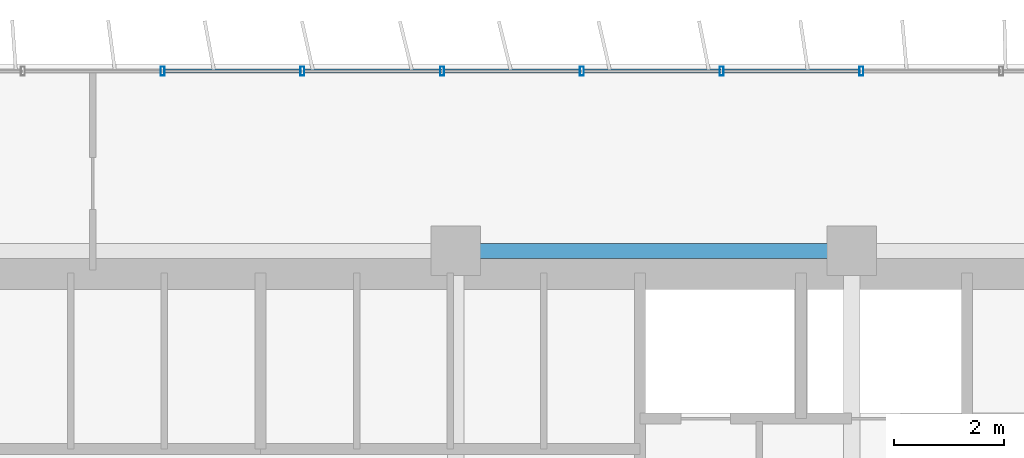
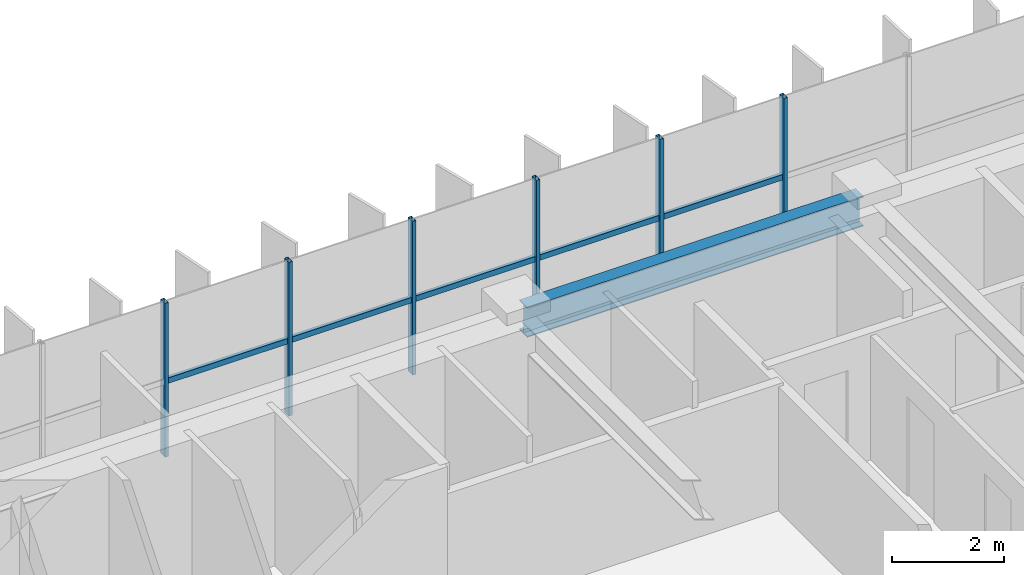
# One storey, part 10 of 24: 11 members, 1 beam, 1 element without a shape of its own.
"""IFC4 building model written with IfcOpenShell, lengths in metres."""

from ifc_helpers import new_model, si_unit, direction, frame, origin, origin_2d, place, context, subcontext, project, spatial, hollow_rectangle, i_section, extrude, source, transform, mapped, material, material_profile, profile_set, type_object, element, aggregate, save


model = new_model("IFC4")

# Units and contexts
model_context = context("Model", 3, precision=1e-05, world=origin(), true_north=direction((0.0, 1.0)))
body_context = subcontext(model_context, "Body", "Model", "MODEL_VIEW")
ifc_project = project(units=[si_unit("LENGTHUNIT", "METRE"), si_unit("AREAUNIT", "SQUARE_METRE"), si_unit("VOLUMEUNIT", "CUBIC_METRE"), si_unit("PLANEANGLEUNIT", "RADIAN"), si_unit("MASSUNIT", "GRAM", prefix="KILO")], contexts=[model_context])

# Site, building, storey
site_placement = place(None, origin())
site = spatial("IfcSite", under=ifc_project, at=site_placement, CompositionType="ELEMENT")
building_placement = place(site_placement, origin())
building = spatial("IfcBuilding", under=site, at=building_placement, Name="Trelvane Seafront Commons", CompositionType="ELEMENT")
storey_placement = place(building_placement, frame((0.0, 0.0, 30.699951171875)))
storey = spatial("IfcBuildingStorey", under=building, at=storey_placement, Name="L07", CompositionType="ELEMENT", Elevation=30.699951171875)

# Beam
ifc_material_1 = material(Name="Steel SM355 (S355)", Category="steel")
ifc_material_profile_1 = material_profile(ifc_material_1, i_section(OverallWidth=0.280029296875, OverallDepth=0.64990234375, WebThickness=0.012939453125, FlangeThickness=0.02197265625, at=origin_2d()), Name="H-650x280x13x22")
ifc_profile_set_1 = profile_set([ifc_material_profile_1], Name="Steel SM355 (S355)")
beam_type = type_object("IfcBeamType", Name="STR-BM-H650", PredefinedType="BEAM", material=ifc_profile_set_1)
shared_shape_1 = source(origin(), body_context, "Body", "SweptSolid", [
    extrude(i_section(OverallWidth=0.280029296875, OverallDepth=0.64990234375, WebThickness=0.012939453125, FlangeThickness=0.02197265625, at=origin_2d()), origin(), (0.0, 0.0, 1.0), 6.900146484375),
])
beam_placement = place(storey_placement, frame((43.949951171875, 45.10009765625, 3.01513671875), z_axis=(1.0, 0.0, 0.0), x_axis=(0.0, 1.0, 0.0)))
element("IfcBeam", 1, at=beam_placement, inside=storey, type_object=beam_type, Name="L07 Primary Girder G-33", PredefinedType="BEAM", context=body_context, shape_type="MappedRepresentation", body=[
    mapped(shared_shape_1, transform((0.0, 0.0, 0.0), x_axis=(1.0, 0.0, 0.0), y_axis=(0.0, 1.0, 0.0), z_axis=(0.0, 0.0, 1.0), scale=1.0)),
])

# Curtain wall, members
ifc_material_2 = material(Name="Anodised pale-silver aluminium", Category="aluminium")
curtain_wall_type = type_object("IfcCurtainWallType", Name="ARCH-CW2-LOWTOWER", PredefinedType="NOTDEFINED", material=ifc_material_2)
curtain_wall_placement = place(storey_placement, origin())
curtain_wall = element("IfcCurtainWall", 2, at=curtain_wall_placement, inside=storey, type_object=curtain_wall_type, Name="CW-L07-0031", PredefinedType="NOTDEFINED")
ifc_material_profile_2 = material_profile(ifc_material_2, hollow_rectangle(XDim=0.074951171875, YDim=0.159912109375, WallThickness=0.00390625, at=origin_2d()), Name="MULL-75x160x4")
ifc_profile_set_2 = profile_set([ifc_material_profile_2], Name="Anodised pale-silver aluminium")
member_type_1 = type_object("IfcMemberType", Name="ARCH-CW-MULL-160", PredefinedType="MULLION", material=ifc_profile_set_2)
shared_shape_2 = source(origin(), body_context, "Body", "SweptSolid", [
    extrude(hollow_rectangle(XDim=0.074951171875, YDim=0.159912109375, WallThickness=0.00390625, at=origin_2d()), origin(), (0.0, 0.0, 1.0), 3.340087890625),
])
member_1_placement = place(storey_placement, frame((38.470703125, 48.3701171875, 0.0), z_axis=(0.0, 0.0, 1.0), x_axis=(1.0, 0.0, 0.0)))
member_1 = element("IfcMember", 3, at=member_1_placement, type_object=member_type_1, Name="CW-L07-0031-M09", PredefinedType="MULLION", context=body_context, shape_type="MappedRepresentation", body=[
    mapped(shared_shape_2, transform((0.0, 0.0, 0.0), x_axis=(1.0, 0.0, 0.0), y_axis=(0.0, 1.0, 0.0), z_axis=(0.0, 0.0, 1.0), scale=1.0)),
])
member_2_placement = place(storey_placement, frame((41.01171875, 48.3701171875, 0.0), z_axis=(0.0, 0.0, 1.0), x_axis=(1.0, 0.0, 0.0)))
member_2 = element("IfcMember", 4, at=member_2_placement, type_object=member_type_1, Name="CW-L07-0031-M10", PredefinedType="MULLION", context=body_context, shape_type="MappedRepresentation", body=[
    mapped(shared_shape_2, transform((0.0, 0.0, 0.0), x_axis=(1.0, 0.0, 0.0), y_axis=(0.0, 1.0, 0.0), z_axis=(0.0, 0.0, 1.0), scale=1.0)),
])
member_3_placement = place(storey_placement, frame((43.552978515625, 48.3701171875, 0.0), z_axis=(0.0, 0.0, 1.0), x_axis=(1.0, 0.0, 0.0)))
member_3 = element("IfcMember", 5, at=member_3_placement, type_object=member_type_1, Name="CW-L07-0031-M11", PredefinedType="MULLION", context=body_context, shape_type="MappedRepresentation", body=[
    mapped(shared_shape_2, transform((0.0, 0.0, 0.0), x_axis=(1.0, 0.0, 0.0), y_axis=(0.0, 1.0, 0.0), z_axis=(0.0, 0.0, 1.0), scale=1.0)),
])
member_4_placement = place(storey_placement, frame((46.093994140625, 48.3701171875, 0.0), z_axis=(0.0, 0.0, 1.0), x_axis=(1.0, 0.0, 0.0)))
member_4 = element("IfcMember", 6, at=member_4_placement, type_object=member_type_1, Name="CW-L07-0031-M12", PredefinedType="MULLION", context=body_context, shape_type="MappedRepresentation", body=[
    mapped(shared_shape_2, transform((0.0, 0.0, 0.0), x_axis=(1.0, 0.0, 0.0), y_axis=(0.0, 1.0, 0.0), z_axis=(0.0, 0.0, 1.0), scale=1.0)),
])
member_5_placement = place(storey_placement, frame((48.63525390625, 48.3701171875, 0.0), z_axis=(0.0, 0.0, 1.0), x_axis=(1.0, 0.0, 0.0)))
member_5 = element("IfcMember", 7, at=member_5_placement, type_object=member_type_1, Name="CW-L07-0031-M13", PredefinedType="MULLION", context=body_context, shape_type="MappedRepresentation", body=[
    mapped(shared_shape_2, transform((0.0, 0.0, 0.0), x_axis=(1.0, 0.0, 0.0), y_axis=(0.0, 1.0, 0.0), z_axis=(0.0, 0.0, 1.0), scale=1.0)),
])
member_6_placement = place(storey_placement, frame((51.176513671875, 48.3701171875, 0.0), z_axis=(0.0, 0.0, 1.0), x_axis=(1.0, 0.0, 0.0)))
member_6 = element("IfcMember", 8, at=member_6_placement, type_object=member_type_1, Name="CW-L07-0031-M14", PredefinedType="MULLION", context=body_context, shape_type="MappedRepresentation", body=[
    mapped(shared_shape_2, transform((0.0, 0.0, 0.0), x_axis=(1.0, 0.0, 0.0), y_axis=(0.0, 1.0, 0.0), z_axis=(0.0, 0.0, 1.0), scale=1.0)),
])
ifc_material_profile_3 = material_profile(ifc_material_2, hollow_rectangle(XDim=0.070068359375, YDim=0.1201171875, WallThickness=0.00390625, at=origin_2d()), Name="TRAN-70x120x4")
ifc_profile_set_3 = profile_set([ifc_material_profile_3], Name="Anodised pale-silver aluminium")
member_type_2 = type_object("IfcMemberType", Name="ARCH-CW-TRAN-120", PredefinedType="USERDEFINED", material=ifc_profile_set_3)
shared_shape_3 = source(origin(), body_context, "Body", "SweptSolid", [
    extrude(hollow_rectangle(XDim=0.070068359375, YDim=0.1201171875, WallThickness=0.00390625, at=origin_2d()), origin(), (0.0, 0.0, 1.0), 2.51708984375),
])
member_7_placement = place(storey_placement, frame((38.482666015625, 48.3701171875, 1.60302734375), z_axis=(1.0, 0.0, 0.0), x_axis=(0.0, 1.0, 0.0)))
member_7 = element("IfcMember", 9, at=member_7_placement, type_object=member_type_2, Name="CW-L07-0031-T09", ObjectType="TRANSOM", PredefinedType="USERDEFINED", context=body_context, shape_type="MappedRepresentation", body=[
    mapped(shared_shape_3, transform((0.0, 0.0, 0.0), x_axis=(1.0, 0.0, 0.0), y_axis=(0.0, 1.0, 0.0), z_axis=(0.0, 0.0, 1.0), scale=1.0)),
])
member_8_placement = place(storey_placement, frame((43.56494140625, 48.3701171875, 1.60302734375), z_axis=(1.0, 0.0, 0.0), x_axis=(0.0, 1.0, 0.0)))
member_8 = element("IfcMember", 10, at=member_8_placement, type_object=member_type_2, Name="CW-L07-0031-T11", ObjectType="TRANSOM", PredefinedType="USERDEFINED", context=body_context, shape_type="MappedRepresentation", body=[
    mapped(shared_shape_3, transform((0.0, 0.0, 0.0), x_axis=(1.0, 0.0, 0.0), y_axis=(0.0, 1.0, 0.0), z_axis=(0.0, 0.0, 1.0), scale=1.0)),
])
member_9_placement = place(storey_placement, frame((46.106201171875, 48.3701171875, 1.60302734375), z_axis=(1.0, 0.0, 0.0), x_axis=(0.0, 1.0, 0.0)))
member_9 = element("IfcMember", 11, at=member_9_placement, type_object=member_type_2, Name="CW-L07-0031-T12", ObjectType="TRANSOM", PredefinedType="USERDEFINED", context=body_context, shape_type="MappedRepresentation", body=[
    mapped(shared_shape_3, transform((0.0, 0.0, 0.0), x_axis=(1.0, 0.0, 0.0), y_axis=(0.0, 1.0, 0.0), z_axis=(0.0, 0.0, 1.0), scale=1.0)),
])
shared_shape_4 = source(origin(), body_context, "Body", "SweptSolid", [
    extrude(hollow_rectangle(XDim=0.070068359375, YDim=0.1201171875, WallThickness=0.00390625, at=origin_2d()), origin(), (0.0, 0.0, 1.0), 2.517333984375),
])
member_10_placement = place(storey_placement, frame((41.023681640625, 48.3701171875, 1.60302734375), z_axis=(1.0, 0.0, 0.0), x_axis=(0.0, 1.0, 0.0)))
member_10 = element("IfcMember", 12, at=member_10_placement, type_object=member_type_2, Name="CW-L07-0031-T10", ObjectType="TRANSOM", PredefinedType="USERDEFINED", context=body_context, shape_type="MappedRepresentation", body=[
    mapped(shared_shape_4, transform((0.0, 0.0, 0.0), x_axis=(1.0, 0.0, 0.0), y_axis=(0.0, 1.0, 0.0), z_axis=(0.0, 0.0, 1.0), scale=1.0)),
])
member_11_placement = place(storey_placement, frame((48.647216796875, 48.3701171875, 1.60302734375), z_axis=(1.0, 0.0, 0.0), x_axis=(0.0, 1.0, 0.0)))
member_11 = element("IfcMember", 13, at=member_11_placement, type_object=member_type_2, Name="CW-L07-0031-T13", ObjectType="TRANSOM", PredefinedType="USERDEFINED", context=body_context, shape_type="MappedRepresentation", body=[
    mapped(shared_shape_4, transform((0.0, 0.0, 0.0), x_axis=(1.0, 0.0, 0.0), y_axis=(0.0, 1.0, 0.0), z_axis=(0.0, 0.0, 1.0), scale=1.0)),
])
aggregate(curtain_wall, [member_1, member_2, member_3, member_4, member_5, member_6, member_7, member_10, member_8, member_9, member_11])

save(model, "model.ifc")
